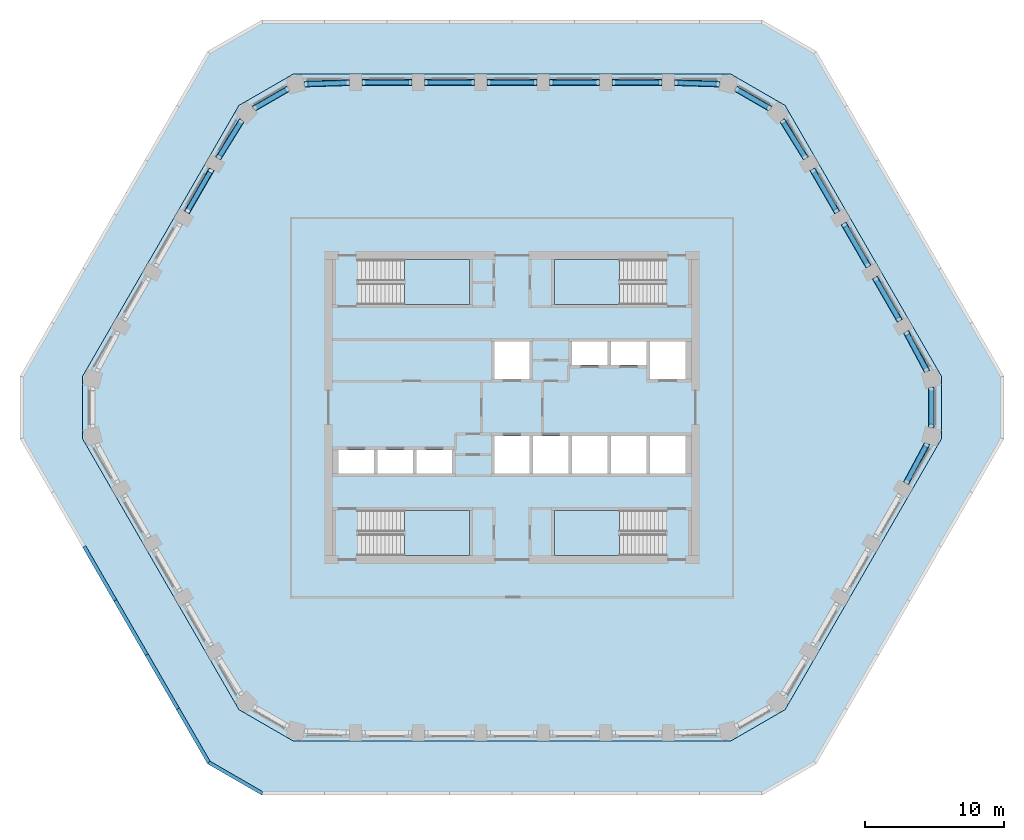
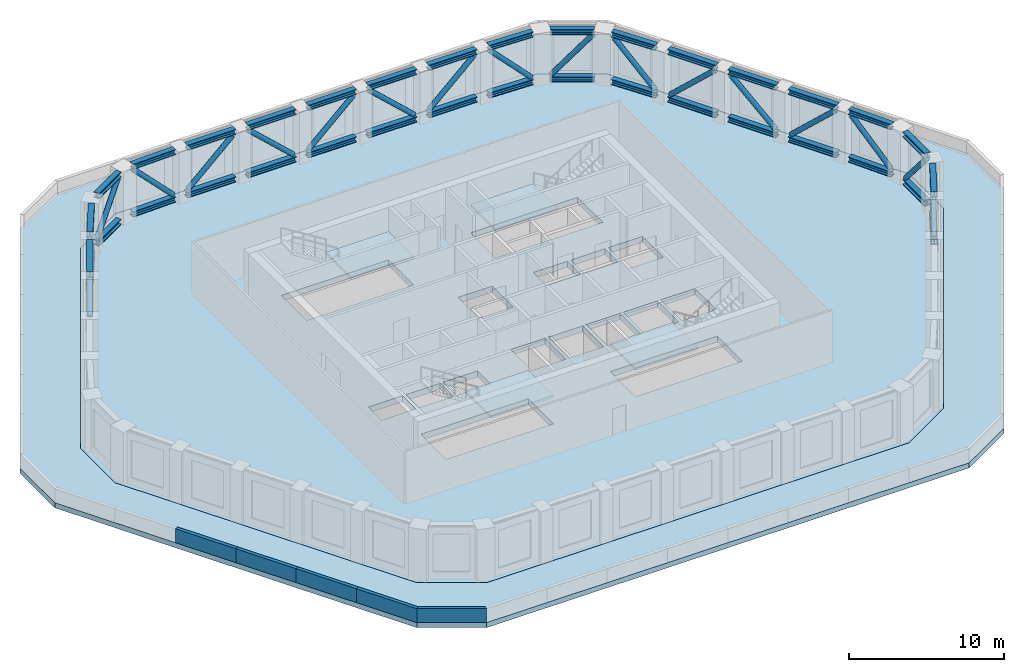
# One storey, part 2 of 14: 35 beams, 18 members, 6 slabs, 5 walls, 4 elements without a shape of their own.
"""IFC4 building model written with IfcOpenShell, lengths in metres."""

from ifc_helpers import new_model, si_unit, direction, frame, origin, origin_2d, place, context, subcontext, project, spatial, polyline, hollow_circle, i_section, outline, extrude, material, layer, layer_set, material_profile, profile_set, type_object, element, aggregate, save


model = new_model("IFC4")

# Units and contexts
model_context = context("Model", 3, precision=1e-05, world=origin(), true_north=direction((0.0, 1.0)))
body_context = subcontext(model_context, "Body", "Model", "MODEL_VIEW")
ifc_project = project(units=[si_unit("LENGTHUNIT", "METRE"), si_unit("AREAUNIT", "SQUARE_METRE"), si_unit("VOLUMEUNIT", "CUBIC_METRE"), si_unit("PLANEANGLEUNIT", "RADIAN"), si_unit("MASSUNIT", "GRAM", prefix="KILO")], contexts=[model_context])

# Site, building, storey
site_placement = place(None, origin())
site = spatial("IfcSite", under=ifc_project, at=site_placement, CompositionType="ELEMENT")
building_placement = place(site_placement, origin())
building = spatial("IfcBuilding", under=site, at=building_placement, Name="Dhurran Vertical Campus", CompositionType="ELEMENT")
storey_placement = place(building_placement, frame((0.0, 0.0, 179.39990234375)))
storey = spatial("IfcBuildingStorey", under=building, at=storey_placement, Name="L44 Plant", CompositionType="ELEMENT", Elevation=179.39990234375)

# Beams
ifc_material_1 = material(Name="Steel ASTM A992", Category="steel")
ifc_material_profile_1 = material_profile(ifc_material_1, i_section(OverallWidth=0.404052734375, OverallDepth=0.406982421875, WebThickness=0.027099609375, FlangeThickness=0.043701171875, at=origin_2d()), Name="W360x347")
ifc_profile_set_1 = profile_set([ifc_material_profile_1], Name="Steel ASTM A992")
beam_type = type_object("IfcBeamType", Name="FR BELT CHORD W360x347", PredefinedType="BEAM", material=ifc_profile_set_1)
for number, where, z_axis, x_axis, name in (
    (1, (28.34033203125, -5.4501953125, 0.20361328125), (0.472660660824, 0.881244517549, 0.0), (-0.881244517549, 0.472660660824, 0.0), "Belt truss chord L44"),
    (2, (28.34033203125, -5.4501953125, 3.946533203125), (0.472660660824, 0.881244517549, 0.0), (-0.881244517549, 0.472660660824, 0.0), "Belt truss chord L44"),
):
    element("IfcBeam", number, at=place(storey_placement, frame(where, z_axis=z_axis, x_axis=x_axis)), inside=storey, type_object=beam_type, Name=name, PredefinedType="BEAM", context=body_context, shape_type="SweptSolid", body=[
        extrude(i_section(OverallWidth=0.404052734375, OverallDepth=0.406982421875, WebThickness=0.027099609375, FlangeThickness=0.043701171875, at=origin_2d()), origin(), (0.0, 0.0, 1.0), 3.238525390625),
    ])
for number, where, z_axis, x_axis, name in (
    (3, (30.162353515625, -1.431884765625, 0.20361328125), (0.0, 1.0, 0.0), (-1.0, 0.0, 0.0), "Belt truss chord L44"),
    (4, (30.162353515625, -1.431884765625, 3.946533203125), (0.0, 1.0, 0.0), (-1.0, 0.0, 0.0), "Belt truss chord L44"),
):
    element("IfcBeam", number, at=place(storey_placement, frame(where, z_axis=z_axis, x_axis=x_axis)), inside=storey, type_object=beam_type, Name=name, PredefinedType="BEAM", context=body_context, shape_type="SweptSolid", body=[
        extrude(i_section(OverallWidth=0.404052734375, OverallDepth=0.406982421875, WebThickness=0.027099609375, FlangeThickness=0.043701171875, at=origin_2d()), origin(), (0.0, 0.0, 1.0), 2.86376953125),
    ])
for number, where, z_axis, x_axis, name in (
    (5, (29.87109375, 2.59619140625, 0.20361328125), (-0.472660660824, 0.881244517549, 0.0), (-0.881244517549, -0.472660660824, 0.0), "Belt truss chord L44"),
    (6, (29.87109375, 2.59619140625, 3.946533203125), (-0.472660660824, 0.881244517549, 0.0), (-0.881244517549, -0.472660660824, 0.0), "Belt truss chord L44"),
):
    element("IfcBeam", number, at=place(storey_placement, frame(where, z_axis=z_axis, x_axis=x_axis)), inside=storey, type_object=beam_type, Name=name, PredefinedType="BEAM", context=body_context, shape_type="SweptSolid", body=[
        extrude(i_section(OverallWidth=0.404052734375, OverallDepth=0.406982421875, WebThickness=0.027099609375, FlangeThickness=0.043701171875, at=origin_2d()), origin(), (0.0, 0.0, 1.0), 3.238525390625),
    ])
for number, where, z_axis, x_axis, name in (
    (7, (27.902587890625, 6.23681640625, 0.20361328125), (-0.500012057535, 0.866018442252, 0.0), (-0.866018442252, -0.500012057535, 0.0), "Belt truss chord L44"),
    (8, (27.902587890625, 6.23681640625, 3.946533203125), (-0.500012057535, 0.866018442252, 0.0), (-0.866018442252, -0.500012057535, 0.0), "Belt truss chord L44"),
):
    element("IfcBeam", number, at=place(storey_placement, frame(where, z_axis=z_axis, x_axis=x_axis)), inside=storey, type_object=beam_type, Name=name, PredefinedType="BEAM", context=body_context, shape_type="SweptSolid", body=[
        extrude(i_section(OverallWidth=0.404052734375, OverallDepth=0.406982421875, WebThickness=0.027099609375, FlangeThickness=0.043701171875, at=origin_2d()), origin(), (0.0, 0.0, 1.0), 3.60009765625),
    ])
for number, where, z_axis, x_axis, name in (
    (9, (25.652587890625, 10.1337890625, 0.20361328125), (-0.499982693035, 0.866035395735, 0.0), (-0.866035395735, -0.499982693035, 0.0), "Belt truss chord L44"),
    (10, (25.652587890625, 10.1337890625, 3.946533203125), (-0.499982693035, 0.866035395735, 0.0), (-0.866035395735, -0.499982693035, 0.0), "Belt truss chord L44"),
):
    element("IfcBeam", number, at=place(storey_placement, frame(where, z_axis=z_axis, x_axis=x_axis)), inside=storey, type_object=beam_type, Name=name, PredefinedType="BEAM", context=body_context, shape_type="SweptSolid", body=[
        extrude(i_section(OverallWidth=0.404052734375, OverallDepth=0.406982421875, WebThickness=0.027099609375, FlangeThickness=0.043701171875, at=origin_2d()), origin(), (0.0, 0.0, 1.0), 3.600341796875),
    ])
for number, where, z_axis, x_axis, name in (
    (11, (23.402587890625, 14.031005859375, 0.20361328125), (-0.500012057535, 0.866018442252, 0.0), (-0.866018442252, -0.500012057535, 0.0), "Belt truss chord L44"),
    (12, (23.402587890625, 14.031005859375, 3.946533203125), (-0.500012057535, 0.866018442252, 0.0), (-0.866018442252, -0.500012057535, 0.0), "Belt truss chord L44"),
):
    element("IfcBeam", number, at=place(storey_placement, frame(where, z_axis=z_axis, x_axis=x_axis)), inside=storey, type_object=beam_type, Name=name, PredefinedType="BEAM", context=body_context, shape_type="SweptSolid", body=[
        extrude(i_section(OverallWidth=0.404052734375, OverallDepth=0.406982421875, WebThickness=0.027099609375, FlangeThickness=0.043701171875, at=origin_2d()), origin(), (0.0, 0.0, 1.0), 3.60009765625),
    ])
for number, where, z_axis, x_axis, name in (
    (13, (21.140380859375, 17.921142578125, 0.20361328125), (-0.526912443478, 0.849919570846, 0.0), (-0.849919570846, -0.526912443478, 0.0), "Belt truss chord L44"),
    (14, (21.140380859375, 17.921142578125, 3.946533203125), (-0.526912443478, 0.849919570846, 0.0), (-0.849919570846, -0.526912443478, 0.0), "Belt truss chord L44"),
):
    element("IfcBeam", number, at=place(storey_placement, frame(where, z_axis=z_axis, x_axis=x_axis)), inside=storey, type_object=beam_type, Name=name, PredefinedType="BEAM", context=body_context, shape_type="SweptSolid", body=[
        extrude(i_section(OverallWidth=0.404052734375, OverallDepth=0.406982421875, WebThickness=0.027099609375, FlangeThickness=0.043701171875, at=origin_2d()), origin(), (0.0, 0.0, 1.0), 3.23876953125),
    ])
for number, where, z_axis, x_axis, name in (
    (15, (18.5712890625, 21.50830078125, 0.20361328125), (-0.866036528751, 0.499980730498, 0.0), (-0.499980730498, -0.866036528751, 0.0), "Belt truss chord L44"),
    (16, (18.5712890625, 21.50830078125, 3.946533203125), (-0.866036528751, 0.499980730498, 0.0), (-0.499980730498, -0.866036528751, 0.0), "Belt truss chord L44"),
):
    element("IfcBeam", number, at=place(storey_placement, frame(where, z_axis=z_axis, x_axis=x_axis)), inside=storey, type_object=beam_type, Name=name, PredefinedType="BEAM", context=body_context, shape_type="SweptSolid", body=[
        extrude(i_section(OverallWidth=0.404052734375, OverallDepth=0.406982421875, WebThickness=0.027099609375, FlangeThickness=0.043701171875, at=origin_2d()), origin(), (0.0, 0.0, 1.0), 2.86376953125),
    ])
for number, where, z_axis, x_axis, name in (
    (17, (14.93701171875, 23.27001953125, 0.20361328125), (-0.999508170432, 0.031359484041, 0.0), (-0.031359484041, -0.999508170432, 0.0), "Belt truss chord L44"),
    (18, (14.93701171875, 23.27001953125, 3.946533203125), (-0.999508170432, 0.031359484041, 0.0), (-0.031359484041, -0.999508170432, 0.0), "Belt truss chord L44"),
):
    element("IfcBeam", number, at=place(storey_placement, frame(where, z_axis=z_axis, x_axis=x_axis)), inside=storey, type_object=beam_type, Name=name, PredefinedType="BEAM", context=body_context, shape_type="SweptSolid", body=[
        extrude(i_section(OverallWidth=0.404052734375, OverallDepth=0.406982421875, WebThickness=0.027099609375, FlangeThickness=0.043701171875, at=origin_2d()), origin(), (0.0, 0.0, 1.0), 3.23876953125),
    ])
for number, where, z_axis, x_axis, name in (
    (19, (10.800048828125, 23.385498046875, 0.20361328125), (-1.0, 0.0, 0.0), (0.0, -1.0, 0.0), "Belt truss chord L44"),
    (20, (10.800048828125, 23.385498046875, 3.946533203125), (-1.0, 0.0, 0.0), (0.0, -1.0, 0.0), "Belt truss chord L44"),
    (21, (6.300048828125, 23.385498046875, 0.20361328125), (-1.0, 0.0, 0.0), (0.0, -1.0, 0.0), "Belt truss chord L44"),
    (22, (6.300048828125, 23.385498046875, 3.946533203125), (-1.0, 0.0, 0.0), (0.0, -1.0, 0.0), "Belt truss chord L44"),
    (23, (1.800048828125, 23.385498046875, 0.20361328125), (-1.0, 0.0, 0.0), (0.0, -1.0, 0.0), "Belt truss chord L44"),
    (24, (1.800048828125, 23.385498046875, 3.946533203125), (-1.0, 0.0, 0.0), (0.0, -1.0, 0.0), "Belt truss chord L44"),
    (25, (-2.699951171875, 23.385498046875, 0.20361328125), (-1.0, 0.0, 0.0), (0.0, -1.0, 0.0), "Belt truss chord L44"),
    (26, (-2.699951171875, 23.385498046875, 3.946533203125), (-1.0, 0.0, 0.0), (0.0, -1.0, 0.0), "Belt truss chord L44"),
    (27, (-7.199951171875, 23.385498046875, 0.20361328125), (-1.0, 0.0, 0.0), (0.0, -1.0, 0.0), "Belt truss chord L44"),
    (28, (-7.199951171875, 23.385498046875, 3.946533203125), (-1.0, 0.0, 0.0), (0.0, -1.0, 0.0), "Belt truss chord L44"),
):
    element("IfcBeam", number, at=place(storey_placement, frame(where, z_axis=z_axis, x_axis=x_axis)), inside=storey, type_object=beam_type, Name=name, PredefinedType="BEAM", context=body_context, shape_type="SweptSolid", body=[
        extrude(i_section(OverallWidth=0.404052734375, OverallDepth=0.406982421875, WebThickness=0.027099609375, FlangeThickness=0.043701171875, at=origin_2d()), origin(), (0.0, 0.0, 1.0), 3.60009765625),
    ])
for number, where, z_axis, x_axis, name in (
    (29, (-11.699951171875, 23.37158203125, 0.20361328125), (-0.999508170432, -0.031359484041, 0.0), (0.031359484041, -0.999508170432, 0.0), "Belt truss chord L44"),
    (30, (-11.699951171875, 23.37158203125, 3.946533203125), (-0.999508170432, -0.031359484041, 0.0), (0.031359484041, -0.999508170432, 0.0), "Belt truss chord L44"),
):
    element("IfcBeam", number, at=place(storey_placement, frame(where, z_axis=z_axis, x_axis=x_axis)), inside=storey, type_object=beam_type, Name=name, PredefinedType="BEAM", context=body_context, shape_type="SweptSolid", body=[
        extrude(i_section(OverallWidth=0.404052734375, OverallDepth=0.406982421875, WebThickness=0.027099609375, FlangeThickness=0.043701171875, at=origin_2d()), origin(), (0.0, 0.0, 1.0), 3.23876953125),
    ])
for number, where, z_axis, x_axis, name in (
    (31, (-16.091064453125, 22.940185546875, 0.20361328125), (-0.866036528751, -0.499980730498, 0.0), (0.499980730498, -0.866036528751, 0.0), "Belt truss chord L44"),
    (32, (-16.091064453125, 22.940185546875, 3.946533203125), (-0.866036528751, -0.499980730498, 0.0), (0.499980730498, -0.866036528751, 0.0), "Belt truss chord L44"),
):
    element("IfcBeam", number, at=place(storey_placement, frame(where, z_axis=z_axis, x_axis=x_axis)), inside=storey, type_object=beam_type, Name=name, PredefinedType="BEAM", context=body_context, shape_type="SweptSolid", body=[
        extrude(i_section(OverallWidth=0.404052734375, OverallDepth=0.406982421875, WebThickness=0.027099609375, FlangeThickness=0.043701171875, at=origin_2d()), origin(), (0.0, 0.0, 1.0), 2.86376953125),
    ])
for number, where, z_axis, x_axis, name in (
    (33, (-19.433837890625, 20.673828125, 0.20361328125), (-0.526912443478, -0.849919570846, 0.0), (0.849919570846, -0.526912443478, 0.0), "Belt truss chord L44"),
    (34, (-19.433837890625, 20.673828125, 3.946533203125), (-0.526912443478, -0.849919570846, 0.0), (0.849919570846, -0.526912443478, 0.0), "Belt truss chord L44"),
):
    element("IfcBeam", number, at=place(storey_placement, frame(where, z_axis=z_axis, x_axis=x_axis)), inside=storey, type_object=beam_type, Name=name, PredefinedType="BEAM", context=body_context, shape_type="SweptSolid", body=[
        extrude(i_section(OverallWidth=0.404052734375, OverallDepth=0.406982421875, WebThickness=0.027099609375, FlangeThickness=0.043701171875, at=origin_2d()), origin(), (0.0, 0.0, 1.0), 3.23876953125),
    ])
beam_placement = place(storey_placement, frame((-21.6025390625, 17.148681640625, 3.946533203125), z_axis=(-0.500012057535, -0.866018442252, 0.0), x_axis=(0.866018442252, -0.500012057535, 0.0)))
element("IfcBeam", 35, at=beam_placement, inside=storey, type_object=beam_type, Name="Belt truss chord L44", PredefinedType="BEAM", context=body_context, shape_type="SweptSolid", body=[
    extrude(i_section(OverallWidth=0.404052734375, OverallDepth=0.406982421875, WebThickness=0.027099609375, FlangeThickness=0.043701171875, at=origin_2d()), origin(), (0.0, 0.0, 1.0), 3.60009765625),
])

# Members
ifc_material_2 = material(Name="Steel S355J2H", Category="steel")
ifc_material_profile_2 = material_profile(ifc_material_2, hollow_circle(Radius=0.177734375, WallThickness=0.01611328125, at=origin_2d()), Name="CHS355.6x16")
ifc_profile_set_2 = profile_set([ifc_material_profile_2], Name="Steel S355J2H")
member_type = type_object("IfcMemberType", Name="FR BELT DIAGONAL CHS355.6x16", PredefinedType="BRACE", material=ifc_profile_set_2)
member_1_placement = place(storey_placement, frame((28.397216796875, -5.344482421875, 0.531005859375), z_axis=(0.329196031442, 0.613867789163, 0.717493073354), x_axis=(-0.881277735554, 0.472598722827, 0.0)))
element("IfcMember", 36, at=member_1_placement, inside=storey, type_object=member_type, Name="Belt truss diagonal L44", PredefinedType="BRACE", context=body_context, shape_type="SweptSolid", body=[
    extrude(hollow_circle(Radius=0.177734375, WallThickness=0.01611328125, at=origin_2d()), origin(), (0.0, 0.0, 1.0), 4.304443359375),
])
member_2_placement = place(storey_placement, frame((30.162353515625, 1.33251953125, 0.52294921875), z_axis=(0.0, -0.651390708925, 0.758742475631), x_axis=(1.0, 0.0, 0.0)))
element("IfcMember", 37, at=member_2_placement, inside=storey, type_object=member_type, Name="Belt truss diagonal L44", PredefinedType="BRACE", context=body_context, shape_type="SweptSolid", body=[
    extrude(hollow_circle(Radius=0.177734375, WallThickness=0.01611328125, at=origin_2d()), origin(), (0.0, 0.0, 1.0), 4.09130859375),
])
member_3_placement = place(storey_placement, frame((29.814208984375, 2.7021484375, 0.531005859375), z_axis=(-0.329196031442, 0.613867789163, 0.717493073354), x_axis=(-0.881277735554, -0.472598722827, 0.0)))
element("IfcMember", 38, at=member_3_placement, inside=storey, type_object=member_type, Name="Belt truss diagonal L44", PredefinedType="BRACE", context=body_context, shape_type="SweptSolid", body=[
    extrude(hollow_circle(Radius=0.177734375, WallThickness=0.01611328125, at=origin_2d()), origin(), (0.0, 0.0, 1.0), 4.304443359375),
])
member_4_placement = place(storey_placement, frame((26.1728515625, 9.232666015625, 0.53759765625), z_axis=(0.366722480132, -0.635234996485, 0.679699287778), x_axis=(0.866043477274, 0.499968694491, 0.0)))
element("IfcMember", 39, at=member_4_placement, inside=storey, type_object=member_type, Name="Belt truss diagonal L44", PredefinedType="BRACE", context=body_context, shape_type="SweptSolid", body=[
    extrude(hollow_circle(Radius=0.177734375, WallThickness=0.01611328125, at=origin_2d()), origin(), (0.0, 0.0, 1.0), 4.5244140625),
])
member_5_placement = place(storey_placement, frame((25.58203125, 10.255859375, 0.53759765625), z_axis=(-0.366735050847, 0.635202808052, 0.679722586885), x_axis=(-0.866025085798, -0.500000550768, 0.0)))
element("IfcMember", 40, at=member_5_placement, inside=storey, type_object=member_type, Name="Belt truss diagonal L44", PredefinedType="BRACE", context=body_context, shape_type="SweptSolid", body=[
    extrude(hollow_circle(Radius=0.177734375, WallThickness=0.01611328125, at=origin_2d()), origin(), (0.0, 0.0, 1.0), 4.524169921875),
])
member_6_placement = place(storey_placement, frame((21.6728515625, 17.02685546875, 0.53759765625), z_axis=(0.366722480132, -0.635234996485, 0.679699287778), x_axis=(0.866043477274, 0.499968694491, 0.0)))
element("IfcMember", 41, at=member_6_placement, inside=storey, type_object=member_type, Name="Belt truss diagonal L44", PredefinedType="BRACE", context=body_context, shape_type="SweptSolid", body=[
    extrude(hollow_circle(Radius=0.177734375, WallThickness=0.01611328125, at=origin_2d()), origin(), (0.0, 0.0, 1.0), 4.5244140625),
])
member_7_placement = place(storey_placement, frame((21.076904296875, 18.0234375, 0.531005859375), z_axis=(-0.366989582697, 0.592004679229, 0.717529864161), x_axis=(-0.849936972138, -0.526884373837, 0.0)))
element("IfcMember", 42, at=member_7_placement, inside=storey, type_object=member_type, Name="Belt truss diagonal L44", PredefinedType="BRACE", context=body_context, shape_type="SweptSolid", body=[
    extrude(hollow_circle(Radius=0.177734375, WallThickness=0.01611328125, at=origin_2d()), origin(), (0.0, 0.0, 1.0), 4.30419921875),
])
member_8_placement = place(storey_placement, frame((16.17724609375, 22.890380859375, 0.52294921875), z_axis=(0.564099204505, -0.325701201543, 0.758756097036), x_axis=(0.500021155841, 0.86601318911, 0.0)))
element("IfcMember", 43, at=member_8_placement, inside=storey, type_object=member_type, Name="Belt truss diagonal L44", PredefinedType="BRACE", context=body_context, shape_type="SweptSolid", body=[
    extrude(hollow_circle(Radius=0.177734375, WallThickness=0.01611328125, at=origin_2d()), origin(), (0.0, 0.0, 1.0), 4.09130859375),
])
member_9_placement = place(storey_placement, frame((14.81689453125, 23.273681640625, 0.531005859375), z_axis=(-0.696194170854, 0.021837604349, 0.717521285751), x_axis=(-0.03135169787, -0.999508414692, 0.0)))
element("IfcMember", 44, at=member_9_placement, inside=storey, type_object=member_type, Name="Belt truss diagonal L44", PredefinedType="BRACE", context=body_context, shape_type="SweptSolid", body=[
    extrude(hollow_circle(Radius=0.177734375, WallThickness=0.01611328125, at=origin_2d()), origin(), (0.0, 0.0, 1.0), 4.30419921875),
])
for number, where, z_axis, x_axis, name in (
    (45, (7.3408203125, 23.385498046875, 0.53759765625), (0.73346966704, 0.0, 0.679722184081), (0.0, 1.0, 0.0), "Belt truss diagonal L44"),
    (46, (6.1591796875, 23.385498046875, 0.53759765625), (-0.73346966704, 0.0, 0.679722184081), (0.0, -1.0, 0.0), "Belt truss diagonal L44"),
    (47, (-1.6591796875, 23.385498046875, 0.53759765625), (0.73346966704, 0.0, 0.679722184081), (0.0, 1.0, 0.0), "Belt truss diagonal L44"),
    (48, (-2.8408203125, 23.385498046875, 0.53759765625), (-0.73346966704, 0.0, 0.679722184081), (0.0, -1.0, 0.0), "Belt truss diagonal L44"),
    (49, (-10.6591796875, 23.385498046875, 0.53759765625), (0.73346966704, 0.0, 0.679722184081), (0.0, 1.0, 0.0), "Belt truss diagonal L44"),
):
    element("IfcMember", number, at=place(storey_placement, frame(where, z_axis=z_axis, x_axis=x_axis)), inside=storey, type_object=member_type, Name=name, PredefinedType="BRACE", context=body_context, shape_type="SweptSolid", body=[
        extrude(hollow_circle(Radius=0.177734375, WallThickness=0.01611328125, at=origin_2d()), origin(), (0.0, 0.0, 1.0), 4.524169921875),
    ])
member_10_placement = place(storey_placement, frame((-11.8203125, 23.36767578125, 0.531005859375), z_axis=(-0.696194170854, -0.021837604349, 0.717521285751), x_axis=(0.03135169787, -0.999508414692, 0.0)))
element("IfcMember", 50, at=member_10_placement, inside=storey, type_object=member_type, Name="Belt truss diagonal L44", PredefinedType="BRACE", context=body_context, shape_type="SweptSolid", body=[
    extrude(hollow_circle(Radius=0.177734375, WallThickness=0.01611328125, at=origin_2d()), origin(), (0.0, 0.0, 1.0), 4.30419921875),
])
member_11_placement = place(storey_placement, frame((-18.485107421875, 21.557861328125, 0.52294921875), z_axis=(0.564099204505, 0.325701201543, 0.758756097036), x_axis=(-0.500021155841, 0.86601318911, 0.0)))
element("IfcMember", 51, at=member_11_placement, inside=storey, type_object=member_type, Name="Belt truss diagonal L44", PredefinedType="BRACE", context=body_context, shape_type="SweptSolid", body=[
    extrude(hollow_circle(Radius=0.177734375, WallThickness=0.01611328125, at=origin_2d()), origin(), (0.0, 0.0, 1.0), 4.09130859375),
])
member_12_placement = place(storey_placement, frame((-19.497314453125, 20.571533203125, 0.531005859375), z_axis=(-0.366989582697, -0.592004679229, 0.717529864161), x_axis=(0.849936972138, -0.526884373837, 0.0)))
element("IfcMember", 52, at=member_12_placement, inside=storey, type_object=member_type, Name="Belt truss diagonal L44", PredefinedType="BRACE", context=body_context, shape_type="SweptSolid", body=[
    extrude(hollow_circle(Radius=0.177734375, WallThickness=0.01611328125, at=origin_2d()), origin(), (0.0, 0.0, 1.0), 4.30419921875),
])
member_13_placement = place(storey_placement, frame((-23.33203125, 14.15283203125, 0.53759765625), z_axis=(0.366722480132, 0.635234996485, 0.679699287778), x_axis=(-0.866043477274, 0.499968694491, 0.0)))
element("IfcMember", 53, at=member_13_placement, inside=storey, type_object=member_type, Name="Belt truss diagonal L44", PredefinedType="BRACE", context=body_context, shape_type="SweptSolid", body=[
    extrude(hollow_circle(Radius=0.177734375, WallThickness=0.01611328125, at=origin_2d()), origin(), (0.0, 0.0, 1.0), 4.5244140625),
])

# Slabs
ifc_material_3 = material(Name="Concrete C40/50", Category="concrete")
ifc_layer_1 = layer(ifc_material_3, 0.47509765625)
ifc_layer_set_1 = layer_set([ifc_layer_1], Name="Concrete C40/50")
slab_type_1 = type_object("IfcSlabType", Name="FR POST-TENSIONED FLAT SLAB 475", PredefinedType="FLOOR", material=ifc_layer_set_1)
slab_1_placement = place(storey_placement, frame((0.0, 0.0, -0.474853515625)))
element("IfcSlab", 54, at=slab_1_placement, inside=storey, type_object=slab_type_1, Name="Floor slab L44", PredefinedType="FLOOR", context=body_context, shape_type="SweptSolid", body=[
    extrude(outline(polyline([(-15.75, -23.985595703125), (15.75, -23.985595703125), (19.647216796875, -21.735595703125), (30.897216796875, -2.25), (30.897216796875, 2.25), (19.647216796875, 21.735595703125), (15.75, 23.985595703125), (-15.75, 23.985595703125), (-19.647216796875, 21.735595703125), (-30.897216796875, 2.25), (-30.897216796875, -2.25), (-19.647216796875, -21.735595703125), (-15.75, -23.985595703125)]), holes=[polyline([(-1.27490234375, 2.050048828125), (1.27490234375, 2.050048828125), (1.27490234375, 4.75), (-1.27490234375, 4.75), (-1.27490234375, 2.050048828125)]), polyline([(9.925048828125, 2.050048828125), (12.47509765625, 2.050048828125), (12.47509765625, 4.75), (9.925048828125, 4.75), (9.925048828125, 2.050048828125)]), polyline([(-1.27490234375, -4.75), (1.27490234375, -4.75), (1.27490234375, -2.050048828125), (-1.27490234375, -2.050048828125), (-1.27490234375, -4.75)]), polyline([(1.52490234375, -4.75), (4.074951171875, -4.75), (4.074951171875, -2.050048828125), (1.52490234375, -2.050048828125), (1.52490234375, -4.75)]), polyline([(4.324951171875, -4.75), (6.875, -4.75), (6.875, -2.050048828125), (4.324951171875, -2.050048828125), (4.324951171875, -4.75)]), polyline([(7.125, -4.75), (9.675048828125, -4.75), (9.675048828125, -2.050048828125), (7.125, -2.050048828125), (7.125, -4.75)]), polyline([(9.925048828125, -4.75), (12.47509765625, -4.75), (12.47509765625, -2.050048828125), (9.925048828125, -2.050048828125), (9.925048828125, -4.75)]), polyline([(4.324951171875, 3.050048828125), (6.875, 3.050048828125), (6.875, 4.75), (4.324951171875, 4.75), (4.324951171875, 3.050048828125)]), polyline([(7.125, 3.050048828125), (9.675048828125, 3.050048828125), (9.675048828125, 4.75), (7.125, 4.75), (7.125, 3.050048828125)]), polyline([(-12.47509765625, -4.75), (-9.925048828125, -4.75), (-9.925048828125, -3.050048828125), (-12.47509765625, -3.050048828125), (-12.47509765625, -4.75)]), polyline([(-9.675048828125, -4.75), (-7.125, -4.75), (-7.125, -3.050048828125), (-9.675048828125, -3.050048828125), (-9.675048828125, -4.75)]), polyline([(-6.875, -4.75), (-4.324951171875, -4.75), (-4.324951171875, -3.050048828125), (-6.875, -3.050048828125), (-6.875, -4.75)]), polyline([(-11.050048828125, 7.39990234375), (-3.050048828125, 7.39990234375), (-3.050048828125, 10.64990234375), (-11.050048828125, 10.64990234375), (-11.050048828125, 7.39990234375)]), polyline([(3.050048828125, 7.39990234375), (11.050048828125, 7.39990234375), (11.050048828125, 10.64990234375), (3.050048828125, 10.64990234375), (3.050048828125, 7.39990234375)]), polyline([(-11.050048828125, -10.64990234375), (-3.050048828125, -10.64990234375), (-3.050048828125, -7.39990234375), (-11.050048828125, -7.39990234375), (-11.050048828125, -10.64990234375)]), polyline([(3.050048828125, -10.64990234375), (11.050048828125, -10.64990234375), (11.050048828125, -7.39990234375), (3.050048828125, -7.39990234375), (3.050048828125, -10.64990234375)])]), origin(), (0.0, 0.0, 1.0), 0.474853515625),
])
ifc_material_4 = material(Name="Concrete C40/50", Category="concrete")
ifc_layer_2 = layer(ifc_material_4, 0.39990234375)
ifc_layer_set_2 = layer_set([ifc_layer_2], Name="Concrete C40/50")
slab_type_2 = type_object("IfcSlabType", Name="FR ROOF TERRACE SLAB 400", PredefinedType="ROOF", material=ifc_layer_set_2)
slab_2_placement = place(storey_placement, frame((0.0, 0.0, -0.39990234375)))
element("IfcSlab", 55, at=slab_2_placement, inside=storey, type_object=slab_type_2, Name="Setback terrace slab L44", PredefinedType="ROOF", context=body_context, shape_type="SweptSolid", body=[
    extrude(outline(polyline([(-18.0, -27.8828125), (18.0, -27.8828125), (21.897216796875, -25.6328125), (35.397216796875, -2.25), (35.397216796875, 2.25), (21.897216796875, 25.6328125), (18.0, 27.8828125), (-18.0, 27.8828125), (-21.897216796875, 25.6328125), (-35.397216796875, 2.25), (-35.397216796875, -2.25), (-21.897216796875, -25.6328125), (-18.0, -27.8828125)]), holes=[polyline([(-15.75, -23.985595703125), (15.75, -23.985595703125), (19.647216796875, -21.735595703125), (30.897216796875, -2.25), (30.897216796875, 2.25), (19.647216796875, 21.735595703125), (15.75, 23.985595703125), (-15.75, 23.985595703125), (-19.647216796875, 21.735595703125), (-30.897216796875, 2.25), (-30.897216796875, -2.25), (-19.647216796875, -21.735595703125), (-15.75, -23.985595703125)])]), origin(), (0.0, 0.0, 1.0), 0.39990234375),
])

# Stair, slab
ifc_material_5 = material(Name="Concrete C40/50", Category="concrete")
stair_type = type_object("IfcStairType", Name="co-ST-CORE", PredefinedType="HALF_TURN_STAIR", material=ifc_material_5)
stair_1_placement = place(storey_placement, origin())
stair_1 = element("IfcStair", 56, at=stair_1_placement, inside=storey, type_object=stair_type, Name="L44 Plant Protected exit stair ST1", PredefinedType="HALF_TURN_STAIR")
ifc_material_6 = material(Name="Concrete C40/50", Category="concrete")
ifc_layer_3 = layer(ifc_material_6, 0.199951171875)
ifc_layer_set_3 = layer_set([ifc_layer_3], Name="Concrete C40/50")
slab_type_3 = type_object("IfcSlabType", Name="co-SL-LANDING", PredefinedType="LANDING", material=ifc_layer_set_3)
slab_3_placement = place(storey_placement, frame((0.0, 0.0, 2.050048828125)))
slab_3 = element("IfcSlab", 57, at=slab_3_placement, type_object=slab_type_3, Name="ST1 landing 1", PredefinedType="LANDING", context=body_context, shape_type="SweptSolid", body=[
    extrude(outline(polyline([(-7.739990234375, 7.39990234375), (-3.050048828125, 7.39990234375), (-3.050048828125, 10.64990234375), (-7.739990234375, 10.64990234375), (-7.739990234375, 7.39990234375)])), origin(), (0.0, 0.0, 1.0), 0.199951171875),
])
aggregate(stair_1, [slab_3])

stair_2_placement = place(storey_placement, origin())
stair_2 = element("IfcStair", 58, at=stair_2_placement, inside=storey, type_object=stair_type, Name="L44 Plant Protected exit stair ST2", PredefinedType="HALF_TURN_STAIR")
slab_4_placement = place(storey_placement, frame((0.0, 0.0, 2.050048828125)))
slab_4 = element("IfcSlab", 59, at=slab_4_placement, type_object=slab_type_3, Name="ST2 landing 1", PredefinedType="LANDING", context=body_context, shape_type="SweptSolid", body=[
    extrude(outline(polyline([(7.739990234375, 10.64990234375), (3.050048828125, 10.64990234375), (3.050048828125, 7.39990234375), (7.739990234375, 7.39990234375), (7.739990234375, 10.64990234375)])), origin(), (0.0, 0.0, 1.0), 0.199951171875),
])
aggregate(stair_2, [slab_4])

stair_3_placement = place(storey_placement, origin())
stair_3 = element("IfcStair", 60, at=stair_3_placement, inside=storey, type_object=stair_type, Name="L44 Plant Protected exit stair ST3", PredefinedType="HALF_TURN_STAIR")
slab_5_placement = place(storey_placement, frame((0.0, 0.0, 2.050048828125)))
slab_5 = element("IfcSlab", 61, at=slab_5_placement, type_object=slab_type_3, Name="ST3 landing 1", PredefinedType="LANDING", context=body_context, shape_type="SweptSolid", body=[
    extrude(outline(polyline([(-7.739990234375, -10.64990234375), (-3.050048828125, -10.64990234375), (-3.050048828125, -7.39990234375), (-7.739990234375, -7.39990234375), (-7.739990234375, -10.64990234375)])), origin(), (0.0, 0.0, 1.0), 0.199951171875),
])
aggregate(stair_3, [slab_5])

stair_4_placement = place(storey_placement, origin())
stair_4 = element("IfcStair", 62, at=stair_4_placement, inside=storey, type_object=stair_type, Name="L44 Plant Protected exit stair ST4", PredefinedType="HALF_TURN_STAIR")
slab_6_placement = place(storey_placement, frame((0.0, 0.0, 2.050048828125)))
slab_6 = element("IfcSlab", 63, at=slab_6_placement, type_object=slab_type_3, Name="ST4 landing 1", PredefinedType="LANDING", context=body_context, shape_type="SweptSolid", body=[
    extrude(outline(polyline([(7.739990234375, -7.39990234375), (3.050048828125, -7.39990234375), (3.050048828125, -10.64990234375), (7.739990234375, -10.64990234375), (7.739990234375, -7.39990234375)])), origin(), (0.0, 0.0, 1.0), 0.199951171875),
])
aggregate(stair_4, [slab_6])

# Walls
ifc_material_7 = material(Name="Precast concrete C50/60", Category="concrete")
ifc_layer_4 = layer(ifc_material_7, 0.25)
ifc_layer_set_4 = layer_set([ifc_layer_4], Name="Precast concrete C50/60")
wall_type = type_object("IfcWallType", Name="Precast parapet 250", PredefinedType="PARAPET", material=ifc_layer_set_4)
wall_1_placement = place(storey_placement, origin())
element("IfcWall", 64, at=wall_1_placement, inside=storey, type_object=wall_type, Name="PW1 L44.41", PredefinedType="PARAPET", context=body_context, shape_type="SweptSolid", body=[
    extrude(outline(polyline([(-30.897216796875, -10.044189453125), (-28.647216796875, -13.94140625), (-28.4306640625, -13.81640625), (-30.6806640625, -9.919189453125), (-30.897216796875, -10.044189453125)])), origin(), (0.0, 0.0, 1.0), 1.10009765625),
])
wall_2_placement = place(storey_placement, origin())
element("IfcWall", 65, at=wall_2_placement, inside=storey, type_object=wall_type, Name="PW1 L44.42", PredefinedType="PARAPET", context=body_context, shape_type="SweptSolid", body=[
    extrude(outline(polyline([(-28.647216796875, -13.94140625), (-26.397216796875, -17.83837890625), (-26.1806640625, -17.71337890625), (-28.4306640625, -13.81640625), (-28.647216796875, -13.94140625)])), origin(), (0.0, 0.0, 1.0), 1.10009765625),
])
wall_3_placement = place(storey_placement, origin())
element("IfcWall", 66, at=wall_3_placement, inside=storey, type_object=wall_type, Name="PW1 L44.43", PredefinedType="PARAPET", context=body_context, shape_type="SweptSolid", body=[
    extrude(outline(polyline([(-26.397216796875, -17.83837890625), (-24.147216796875, -21.735595703125), (-23.9306640625, -21.610595703125), (-26.1806640625, -17.71337890625), (-26.397216796875, -17.83837890625)])), origin(), (0.0, 0.0, 1.0), 1.10009765625),
])
wall_4_placement = place(storey_placement, origin())
element("IfcWall", 67, at=wall_4_placement, inside=storey, type_object=wall_type, Name="PW1 L44.44", PredefinedType="PARAPET", context=body_context, shape_type="SweptSolid", body=[
    extrude(outline(polyline([(-24.147216796875, -21.735595703125), (-21.897216796875, -25.6328125), (-21.714111328125, -25.44970703125), (-23.9306640625, -21.610595703125), (-24.147216796875, -21.735595703125)])), origin(), (0.0, 0.0, 1.0), 1.10009765625),
])
wall_5_placement = place(storey_placement, origin())
element("IfcWall", 68, at=wall_5_placement, inside=storey, type_object=wall_type, Name="PW1 L44.45", PredefinedType="PARAPET", context=body_context, shape_type="SweptSolid", body=[
    extrude(outline(polyline([(-21.897216796875, -25.6328125), (-18.0, -27.8828125), (-17.93310546875, -27.6328125), (-21.714111328125, -25.44970703125), (-21.897216796875, -25.6328125)])), origin(), (0.0, 0.0, 1.0), 1.10009765625),
])

save(model, "model.ifc")
